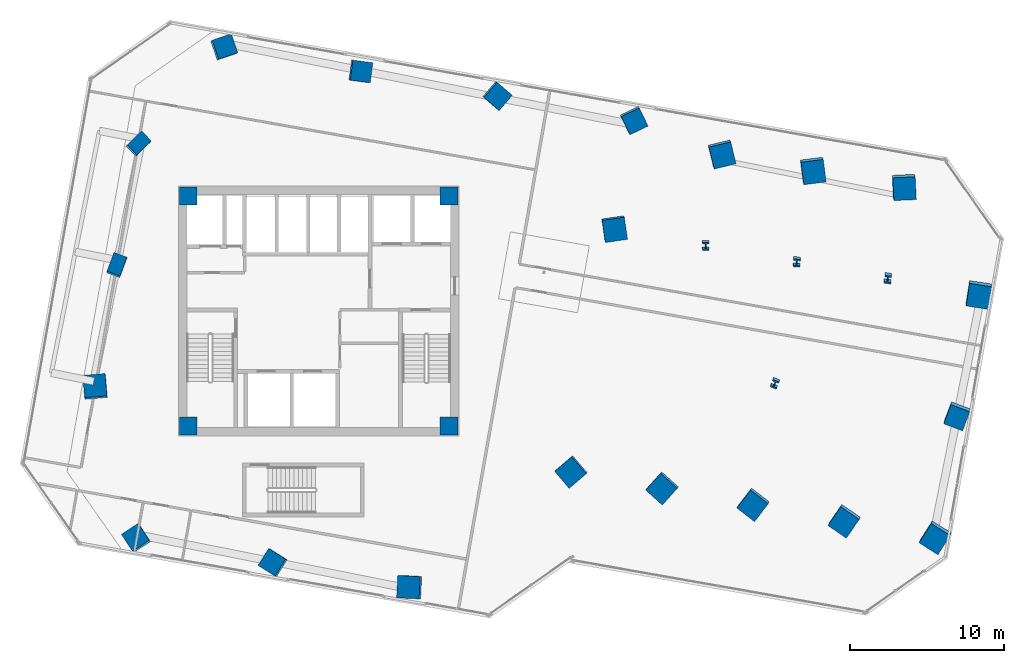
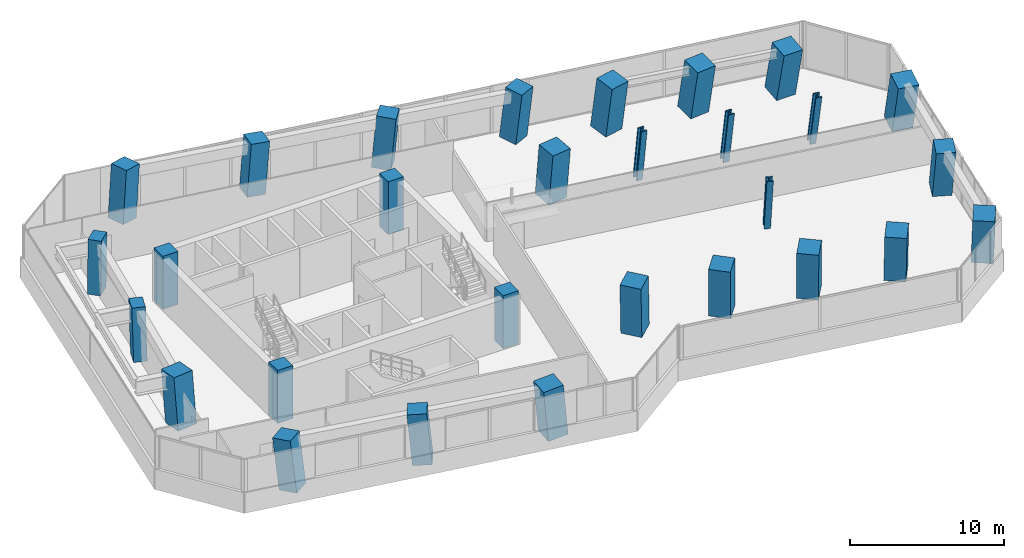
# One storey, part 1 of 24: 29 columns.
"""IFC4 building model written with IfcOpenShell, lengths in metres."""

import ifcopenshell
import ifcopenshell.guid

model = None  # the IFC model being written
_history = None  # IfcOwnerHistory: only IFC2X3 demands one
_inside = {}  # id of a spatial element -> (the spatial element, [elements in it])
_under = {}  # id of a project, library or spatial element -> (it, [spatial elements below it])
_declared = {}  # id of a project -> (the project, [libraries it declares])
_typed = {}  # id of a type object -> (the type object, [elements of that type])
_made_of = {}  # id of a material, layer set ... -> (it, [elements and type objects made of it])


def new_model(schema):
    """Start an empty IFC model of exactly this schema.

    Asked for "IFC4X3", IfcOpenShell would pick the latest addendum, in which some entities
    have other attributes; the version numbers below select the first issue.
    IFC2X3 requires an IfcOwnerHistory on every rooted entity: one is made here for all.
    """
    global model, _history
    if schema == "IFC4X3":
        model = ifcopenshell.file(schema_version=(4, 3, 0, 0))
    else:
        model = ifcopenshell.file(schema=schema)
    _inside.clear()
    _under.clear()
    _declared.clear()
    _typed.clear()
    _made_of.clear()
    _history = None
    if model.schema == "IFC2X3":
        org = make("IfcOrganization", Name="unknown")
        user = make(
            "IfcPersonAndOrganization",
            ThePerson=make("IfcPerson", FamilyName="unknown"),
            TheOrganization=org,
        )
        app = make(
            "IfcApplication",
            ApplicationDeveloper=org,
            Version="unknown",
            ApplicationFullName="unknown",
            ApplicationIdentifier="unknown",
        )
        _history = make(
            "IfcOwnerHistory",
            OwningUser=user,
            OwningApplication=app,
            ChangeAction="ADDED",
            CreationDate=0,
        )
    return model


def make(cls, **values):
    """One entity of the class cls with the attributes given. An attribute that is None is left unset."""
    return model.create_entity(
        cls, **{name: value for name, value in values.items() if value is not None}
    )


def rooted(cls, **values):
    """An entity with a GlobalId (a new one), such as an element, a storey or a relation."""
    return make(cls, GlobalId=ifcopenshell.guid.new(), OwnerHistory=_history, **values)


def si_unit(unit_type, name, prefix=None):
    """IfcSIUnit, for example si_unit("LENGTHUNIT", "METRE", prefix="MILLI")."""
    return make("IfcSIUnit", UnitType=unit_type, Prefix=prefix, Name=name)


def assignment(units):
    """IfcUnitAssignment: the units of a project."""
    return None if units is None else make("IfcUnitAssignment", Units=units)


def point(xyz):
    """IfcCartesianPoint."""
    return None if xyz is None else make("IfcCartesianPoint", Coordinates=xyz)


def direction(xyz):
    """IfcDirection."""
    return None if xyz is None else make("IfcDirection", DirectionRatios=xyz)


def frame(location, z_axis=None, x_axis=None):
    """IfcAxis2Placement3D, a coordinate frame: its origin and axes. An axis left out is left unset."""
    return make(
        "IfcAxis2Placement3D",
        Location=point(location),
        Axis=direction(z_axis),
        RefDirection=direction(x_axis),
    )


def frame_2d(location, x_axis=None):
    """IfcAxis2Placement2D, a coordinate frame in the plane: its origin and x axis."""
    return make(
        "IfcAxis2Placement2D", Location=point(location), RefDirection=direction(x_axis)
    )


def origin():
    """The frame at (0, 0, 0) with its axes left unset."""
    return frame((0.0, 0.0, 0.0))


def origin_2d():
    """The frame at (0, 0) in the plane with its x axis left unset."""
    return frame_2d((0.0, 0.0))


def place(relative_to, where):
    """IfcLocalPlacement: puts the frame where relative to a parent placement (None: the world)."""
    return make(
        "IfcLocalPlacement", PlacementRelTo=relative_to, RelativePlacement=where
    )


def context(
    kind, dimensions, precision=None, world=None, true_north=None, identifier=None
):
    """IfcGeometricRepresentationContext, for example the 3D "Model" context."""
    return make(
        "IfcGeometricRepresentationContext",
        ContextIdentifier=identifier,
        ContextType=kind,
        CoordinateSpaceDimension=dimensions,
        Precision=precision,
        WorldCoordinateSystem=world,
        TrueNorth=true_north,
    )


def subcontext(parent, identifier, kind, view, scale=None):
    """IfcGeometricRepresentationSubContext, for example "Body" below "Model"."""
    return make(
        "IfcGeometricRepresentationSubContext",
        ContextIdentifier=identifier,
        ContextType=kind,
        ParentContext=parent,
        TargetScale=scale,
        TargetView=view,
    )


def project(units=None, contexts=None):
    """IfcProject with its units and contexts."""
    return rooted(
        "IfcProject",
        Name="project",
        RepresentationContexts=contexts,
        UnitsInContext=assignment(units),
    )


def spatial(cls, under=None, at=None, **own):
    """A site, building, storey or space (cls), placed at a placement, below another one or the project."""
    s = rooted(cls, ObjectPlacement=at, **own)
    if under is not None:
        _under.setdefault(under.id(), (under, []))[1].append(s)
    return s


def profile(cls, at=None, kind="AREA", **sizes):
    """A parametric profile (cls). Its sizes go by their IFC names, for example OverallWidth=200.0."""
    return make(cls, ProfileType=kind, Position=at, **sizes)


def rectangle(**sizes):
    """IfcRectangleProfileDef."""
    return profile("IfcRectangleProfileDef", **sizes)


def i_section(**sizes):
    """IfcIShapeProfileDef."""
    return profile("IfcIShapeProfileDef", **sizes)


def extrude(swept, where, along, depth):
    """IfcExtrudedAreaSolid: the profile swept, set in the frame where, extruded along a direction by depth."""
    return make(
        "IfcExtrudedAreaSolid",
        SweptArea=swept,
        Position=where,
        ExtrudedDirection=direction(along),
        Depth=depth,
    )


def clip(a, b, op="DIFFERENCE"):
    """IfcBooleanClippingResult: the solid a cut by the half space b."""
    return make(
        "IfcBooleanClippingResult", Operator=op, FirstOperand=a, SecondOperand=b
    )


def halfspace(plane, agree):
    """IfcHalfSpaceSolid: all space on one side of the plane z = 0 of the frame plane."""
    return make(
        "IfcHalfSpaceSolid",
        BaseSurface=make("IfcPlane", Position=plane),
        AgreementFlag=agree,
    )


def shape(context_of_items, identifier, shape_type, items):
    """IfcShapeRepresentation: the items that make up one representation, for example the "Body"."""
    return make(
        "IfcShapeRepresentation",
        ContextOfItems=context_of_items,
        RepresentationIdentifier=identifier,
        RepresentationType=shape_type,
        Items=items,
    )


def source(mapping_origin, context_of_items, identifier, shape_type, items):
    """IfcRepresentationMap: a shape defined once, which mapped items show again and again."""
    return make(
        "IfcRepresentationMap",
        MappingOrigin=mapping_origin,
        MappedRepresentation=shape(context_of_items, identifier, shape_type, items),
    )


def transform(
    local_origin,
    x_axis=None,
    y_axis=None,
    z_axis=None,
    scale=None,
    scale2=None,
    scale3=None,
    uniform=True,
):
    """IfcCartesianTransformationOperator3D, or its non-uniform kind. x_axis, y_axis, z_axis: its Axis1, 2, 3."""
    if uniform:
        return make(
            "IfcCartesianTransformationOperator3D",
            Axis1=direction(x_axis),
            Axis2=direction(y_axis),
            LocalOrigin=point(local_origin),
            Scale=scale,
            Axis3=direction(z_axis),
        )
    return make(
        "IfcCartesianTransformationOperator3DnonUniform",
        Axis1=direction(x_axis),
        Axis2=direction(y_axis),
        LocalOrigin=point(local_origin),
        Scale=scale,
        Axis3=direction(z_axis),
        Scale2=scale2,
        Scale3=scale3,
    )


def mapped(mapping_source, mapping_target):
    """IfcMappedItem: shows the shape of a source again, moved by a transform."""
    return make(
        "IfcMappedItem", MappingSource=mapping_source, MappingTarget=mapping_target
    )


def material(Name=None, Category=None):
    """IfcMaterial."""
    return make("IfcMaterial", Name=Name, Category=Category)


def material_profile(
    of_material, cross_section, Name=None, Category=None, Priority=None
):
    """IfcMaterialProfile: a cross section and its material."""
    return make(
        "IfcMaterialProfile",
        Name=Name,
        Material=of_material,
        Profile=cross_section,
        Priority=Priority,
        Category=Category,
    )


def profile_set(profiles, Name=None, composite=None):
    """IfcMaterialProfileSet."""
    return make(
        "IfcMaterialProfileSet",
        Name=Name,
        MaterialProfiles=profiles,
        CompositeProfile=composite,
    )


def made_of(thing, what):
    """Note that an element or type object is made of a material, layer set ...; save() writes the relation."""
    if what is not None:
        _made_of.setdefault(what.id(), (what, []))[1].append(thing)
    return thing


def type_object(cls, material=None, **own):
    """A type object (cls), such as IfcWallType, which elements share."""
    return made_of(rooted(cls, **own), material)


def element(
    cls,
    number,
    at=None,
    inside=None,
    cuts=None,
    type_object=None,
    material=None,
    context=None,
    identifier="Body",
    shape_type=None,
    held_by="IfcProductDefinitionShape",
    body=None,
    shapes=None,
    **own,
):
    """One element of the class cls, such as IfcWall. Its Tag is "e" and its number.

    at: its placement. inside: the storey or other place that contains it. cuts: it is an
    opening in that element (IfcRelVoidsElement). A single representation is given by context,
    identifier, shape_type and body (its items); several are given by shapes. held_by: the class
    of the entity that holds the representations. save() writes the other relations.
    """
    e = rooted(cls, Tag="e%d" % number, ObjectPlacement=at, **own)
    if body is not None:
        shapes = [shape(context, identifier, shape_type, body)]
    if shapes is not None:
        e.Representation = make(held_by, Representations=shapes)
    if inside is not None:
        _inside.setdefault(inside.id(), (inside, []))[1].append(e)
    if cuts is not None:
        rooted(
            "IfcRelVoidsElement", RelatingBuildingElement=cuts, RelatedOpeningElement=e
        )
    if type_object is not None:
        _typed.setdefault(type_object.id(), (type_object, []))[1].append(e)
    return made_of(e, material)


def aggregate(whole, parts):
    """IfcRelAggregates: a whole, such as a stair, and the parts it consists of."""
    return rooted("IfcRelAggregates", RelatingObject=whole, RelatedObjects=parts)


def save(model, path):
    """Write the relations noted so far, then the file.

    IfcRelAggregates (storeys below a building ...), IfcRelContainedInSpatialStructure (elements
    in a storey), IfcRelDefinesByType, IfcRelAssociatesMaterial and IfcRelDeclares: one each for
    every whole, place, type object, material and project.
    """
    for whole, parts in _under.values():
        aggregate(whole, parts)
    for where, things in _inside.values():
        rooted(
            "IfcRelContainedInSpatialStructure",
            RelatedElements=things,
            RelatingStructure=where,
        )
    for kind, things in _typed.values():
        rooted("IfcRelDefinesByType", RelatedObjects=things, RelatingType=kind)
    for what, things in _made_of.values():
        rooted("IfcRelAssociatesMaterial", RelatedObjects=things, RelatingMaterial=what)
    for by, libraries in _declared.values():
        rooted("IfcRelDeclares", RelatingContext=by, RelatedDefinitions=libraries)
    model.write(path)


model = new_model("IFC4")

# Units and contexts
model_context = context("Model", 3, precision=1e-05, world=origin(), true_north=direction((0.0, 1.0)))
body_context = subcontext(model_context, "Body", "Model", "MODEL_VIEW")
ifc_project = project(units=[si_unit("LENGTHUNIT", "METRE"), si_unit("AREAUNIT", "SQUARE_METRE"), si_unit("VOLUMEUNIT", "CUBIC_METRE"), si_unit("PLANEANGLEUNIT", "RADIAN"), si_unit("MASSUNIT", "GRAM", prefix="KILO")], contexts=[model_context])

# Site, building, storey
site_placement = place(None, origin())
site = spatial("IfcSite", under=ifc_project, at=site_placement, CompositionType="ELEMENT")
building_placement = place(site_placement, origin())
building = spatial("IfcBuilding", under=site, at=building_placement, Name="Torre Montelarca", CompositionType="ELEMENT")
storey_placement = place(building_placement, frame((0.0, 0.0, 79.0)))
storey = spatial("IfcBuildingStorey", under=building, at=storey_placement, Name="L17", CompositionType="ELEMENT", Elevation=79.0)

# Columns
ifc_material_1 = material(Name="Concrete C55/67", Category="concrete")
ifc_material_profile_1 = material_profile(ifc_material_1, rectangle(XDim=0.89990234375, YDim=1.300048828125, at=origin_2d()), Name="RC1300X900", Category="concrete")
ifc_profile_set_1 = profile_set([ifc_material_profile_1], Name="Concrete C55/67")
column_type_1 = type_object("IfcColumnType", Name="COL-PIL1300-EXT", PredefinedType="PILASTER", material=ifc_profile_set_1)
column_1_placement = place(storey_placement, frame((4.906005859375, 34.926025390625, 0.0), z_axis=(0.016098412236, 0.085703777374, 0.996190596054), x_axis=(0.93594592387, -0.351818035353, 0.015142575451)))
element("IfcColumn", 1, at=column_1_placement, inside=storey, type_object=column_type_1, Name="L17 Column 1W/E", PredefinedType="PILASTER", context=body_context, shape_type="Clipping", body=[
    clip(clip(extrude(rectangle(XDim=0.89990234375, YDim=1.300048828125, at=origin_2d()), origin(), (0.0, 0.0, 1.0), 4.216064453125), halfspace(frame((0.0, 0.0, 0.063720703125), z_axis=(0.0, 0.0, -1.0), x_axis=(1.0, 0.0, 0.0)), False)), halfspace(frame((0.0, 0.0, 4.15234375), z_axis=(0.0, 0.0, 1.0), x_axis=(1.0, 0.0, 0.0)), False)),
])
column_2_placement = place(storey_placement, frame((6.295166015625, 42.804443359375, 0.0), z_axis=(0.056701351042, 0.077993286943, 0.995340144866), x_axis=(0.69491742365, -0.718894571841, 0.016744219477)))
element("IfcColumn", 2, at=column_2_placement, inside=storey, type_object=column_type_1, Name="L17 Column 1W/F", PredefinedType="PILASTER", context=body_context, shape_type="Clipping", body=[
    clip(clip(extrude(rectangle(XDim=0.89990234375, YDim=1.300048828125, at=origin_2d()), origin(), (0.0, 0.0, 1.0), 4.2197265625), halfspace(frame((0.0, 0.0, 0.0703125), z_axis=(0.0, 0.0, -1.0), x_axis=(1.0, 0.0, 0.0)), False)), halfspace(frame((0.0, 0.0, 4.1494140625), z_axis=(0.0, 0.0, 1.0), x_axis=(1.0, 0.0, 0.0)), False)),
])
ifc_material_2 = material(Name="Concrete C70/85", Category="concrete")
ifc_material_profile_2 = material_profile(ifc_material_2, rectangle(XDim=1.300048828125, YDim=1.300048828125, at=origin_2d()), Name="RC1300X1300", Category="concrete")
ifc_profile_set_2 = profile_set([ifc_material_profile_2], Name="Concrete C70/85")
column_type_2 = type_object("IfcColumnType", Name="COL-RC1300-EXT", PredefinedType="COLUMN", material=ifc_profile_set_2)
column_3_placement = place(storey_placement, frame((6.203125, 17.23193359375, 0.0), z_axis=(-0.075400354658, 0.079791486424, 0.993955786347), x_axis=(0.834326240364, 0.550941299546, 0.01906329181)))
element("IfcColumn", 3, at=column_3_placement, inside=storey, type_object=column_type_2, Name="L17 Column 2/CS", PredefinedType="COLUMN", context=body_context, shape_type="Clipping", body=[
    clip(clip(extrude(rectangle(XDim=1.300048828125, YDim=1.300048828125, at=origin_2d()), origin(), (0.0, 0.0, 1.0), 4.2255859375), halfspace(frame((0.0, 0.0, 0.083984375), z_axis=(0.0, 0.0, -1.0), x_axis=(1.0, 0.0, 0.0)), False)), halfspace(frame((0.0, 0.0, 4.1416015625), z_axis=(0.0, 0.0, 1.0), x_axis=(1.0, 0.0, 0.0)), False)),
])
column_4_placement = place(storey_placement, frame((11.82080078125, 49.09033203125, 0.0), z_axis=(0.088825711791, 0.049097024291, 0.994836406215), x_axis=(0.325212970224, -0.94547655982, 0.017623814278)))
element("IfcColumn", 4, at=column_4_placement, inside=storey, type_object=column_type_2, Name="L17 Column 2/GN", PredefinedType="COLUMN", context=body_context, shape_type="Clipping", body=[
    clip(clip(extrude(rectangle(XDim=1.300048828125, YDim=1.300048828125, at=origin_2d()), origin(), (0.0, 0.0, 1.0), 4.2216796875), halfspace(frame((0.0, 0.0, 0.07763671875), z_axis=(0.0, 0.0, -1.0), x_axis=(1.0, 0.0, 0.0)), False)), halfspace(frame((0.0, 0.0, 4.14404296875), z_axis=(0.0, 0.0, 1.0), x_axis=(1.0, 0.0, 0.0)), False)),
])
column_5_placement = place(storey_placement, frame((15.06640625, 15.669189453125, 0.0), z_axis=(-0.084113242022, 0.034154723189, 0.995870683071), x_axis=(0.530733153441, 0.847392356417, 0.015764330737)))
element("IfcColumn", 5, at=column_5_placement, inside=storey, type_object=column_type_2, Name="L17 Column 3/CS", PredefinedType="COLUMN", context=body_context, shape_type="Clipping", body=[
    clip(clip(extrude(rectangle(XDim=1.300048828125, YDim=1.300048828125, at=origin_2d()), origin(), (0.0, 0.0, 1.0), 4.21728515625), halfspace(frame((0.0, 0.0, 0.0693359375), z_axis=(0.0, 0.0, -1.0), x_axis=(1.0, 0.0, 0.0)), False)), halfspace(frame((0.0, 0.0, 4.14794921875), z_axis=(0.0, 0.0, 1.0), x_axis=(1.0, 0.0, 0.0)), False)),
])
column_6_placement = place(storey_placement, frame((20.683837890625, 47.527587890625, 0.0), z_axis=(0.080479369688, 0.003360549634, 0.996750609611), x_axis=(-0.131846749802, -0.991171423482, 0.013987274199)))
element("IfcColumn", 6, at=column_6_placement, inside=storey, type_object=column_type_2, Name="L17 Column 3/GN", PredefinedType="COLUMN", context=body_context, shape_type="Clipping", body=[
    clip(clip(extrude(rectangle(XDim=1.300048828125, YDim=1.300048828125, at=origin_2d()), origin(), (0.0, 0.0, 1.0), 4.213623046875), halfspace(frame((0.0, 0.0, 0.0615234375), z_axis=(0.0, 0.0, -1.0), x_axis=(1.0, 0.0, 0.0)), False)), halfspace(frame((0.0, 0.0, 4.152099609375), z_axis=(0.0, 0.0, 1.0), x_axis=(1.0, 0.0, 0.0)), False)),
])
column_7_placement = place(storey_placement, frame((29.547119140625, 45.96484375, 0.0), z_axis=(0.071829090236, -0.042460260599, 0.996512773659), x_axis=(-0.650101403004, -0.759709304288, 0.014489264645)))
element("IfcColumn", 7, at=column_7_placement, inside=storey, type_object=column_type_2, Name="L17 Column 4/GN", PredefinedType="COLUMN", context=body_context, shape_type="Clipping", body=[
    clip(clip(extrude(rectangle(XDim=1.300048828125, YDim=1.300048828125, at=origin_2d()), origin(), (0.0, 0.0, 1.0), 4.214599609375), halfspace(frame((0.0, 0.0, 0.063720703125), z_axis=(0.0, 0.0, -1.0), x_axis=(1.0, 0.0, 0.0)), False)), halfspace(frame((0.0, 0.0, 4.15087890625), z_axis=(0.0, 0.0, 1.0), x_axis=(1.0, 0.0, 0.0)), False)),
])
column_8_placement = place(storey_placement, frame((38.410400390625, 44.40185546875, 0.0), z_axis=(0.06310397363, -0.088010395457, 0.994118734761), x_axis=(-0.900929917902, -0.433556965496, 0.01880533697)))
element("IfcColumn", 8, at=column_8_placement, inside=storey, type_object=column_type_2, Name="L17 Column 5/GN", PredefinedType="COLUMN", context=body_context, shape_type="Clipping", body=[
    clip(clip(extrude(rectangle(XDim=1.300048828125, YDim=1.300048828125, at=origin_2d()), origin(), (0.0, 0.0, 1.0), 4.224853515625), halfspace(frame((0.0, 0.0, 0.082763671875), z_axis=(0.0, 0.0, -1.0), x_axis=(1.0, 0.0, 0.0)), False)), halfspace(frame((0.0, 0.0, 4.14208984375), z_axis=(0.0, 0.0, 1.0), x_axis=(1.0, 0.0, 0.0)), False)),
])
column_9_placement = place(storey_placement, frame((59.4150390625, 25.314453125, 0.0), z_axis=(-0.036138627315, -0.192720345348, 0.9805880216), x_axis=(-0.936553761677, 0.348866347771, 0.034048830838)))
element("IfcColumn", 9, at=column_9_placement, inside=storey, type_object=column_type_2, Name="L17 Column 9/E", PredefinedType="COLUMN", context=body_context, shape_type="Clipping", body=[
    clip(clip(extrude(rectangle(XDim=1.300048828125, YDim=1.300048828125, at=origin_2d()), origin(), (0.0, 0.0, 1.0), 4.283203125), halfspace(frame((0.0, 0.0, 0.1513671875), z_axis=(0.0, 0.0, -1.0), x_axis=(1.0, 0.0, 0.0)), False)), halfspace(frame((0.0, 0.0, 4.1318359375), z_axis=(0.0, 0.0, 1.0), x_axis=(1.0, 0.0, 0.0)), False)),
])
ifc_material_profile_3 = material_profile(ifc_material_2, rectangle(XDim=1.449951171875, YDim=1.449951171875, at=origin_2d()), Name="RC1450X1450", Category="concrete")
ifc_profile_set_3 = profile_set([ifc_material_profile_3], Name="Concrete C70/85")
column_type_3 = type_object("IfcColumnType", Name="COL-RC1450", PredefinedType="COLUMN", material=ifc_profile_set_3)
for number, where, z_axis, x_axis, name in (
    (10, (34.390380859375, 21.603515625, 0.0), (-0.054498728191, -0.066081879773, 0.996324783287), (-0.649682625817, 0.760060030732, 0.01487398385), "L17 Column 5/D"),
    (11, (37.1689453125, 37.360595703125, 0.0), (0.0268149495, -0.081371499024, 0.996323058867), (-0.989479123471, -0.143908739157, 0.014877466468), "L17 Column 5/F"),
):
    element("IfcColumn", number, at=place(storey_placement, frame(where, z_axis=z_axis, x_axis=x_axis)), inside=storey, type_object=column_type_3, Name=name, PredefinedType="COLUMN", context=body_context, shape_type="Clipping", body=[
        clip(clip(extrude(rectangle(XDim=1.449951171875, YDim=1.449951171875, at=origin_2d()), origin(), (0.0, 0.0, 1.0), 4.21533203125), halfspace(frame((0.0, 0.0, 0.072998046875), z_axis=(0.0, 0.0, -1.0), x_axis=(1.0, 0.0, 0.0)), False)), halfspace(frame((0.0, 0.0, 4.142333984375), z_axis=(0.0, 0.0, 1.0), x_axis=(1.0, 0.0, 0.0)), False)),
    ])
column_10_placement = place(storey_placement, frame((40.29931640625, 20.561767578125, 0.0), z_axis=(-0.060063414038, -0.096390228875, 0.993529722792), x_axis=(-0.744577265686, 0.667244896819, 0.019721640207)))
element("IfcColumn", 12, at=column_10_placement, inside=storey, type_object=column_type_3, Name="L17 Column 6/D", PredefinedType="COLUMN", context=body_context, shape_type="Clipping", body=[
    clip(clip(extrude(rectangle(XDim=1.449951171875, YDim=1.449951171875, at=origin_2d()), origin(), (0.0, 0.0, 1.0), 4.227294921875), halfspace(frame((0.0, 0.0, 0.0966796875), z_axis=(0.0, 0.0, -1.0), x_axis=(1.0, 0.0, 0.0)), False)), halfspace(frame((0.0, 0.0, 4.130615234375), z_axis=(0.0, 0.0, 1.0), x_axis=(1.0, 0.0, 0.0)), False)),
])
column_11_placement = place(storey_placement, frame((44.11962890625, 42.2275390625, 0.0), z_axis=(0.051425658512, -0.117091381657, 0.991788793034), x_axis=(-0.970931417652, -0.238325447494, 0.022207280165)))
element("IfcColumn", 13, at=column_11_placement, inside=storey, type_object=column_type_3, Name="L17 Column 6/G", PredefinedType="COLUMN", context=body_context, shape_type="Clipping", body=[
    clip(clip(extrude(rectangle(XDim=1.449951171875, YDim=1.449951171875, at=origin_2d()), origin(), (0.0, 0.0, 1.0), 4.234619140625), halfspace(frame((0.0, 0.0, 0.109130859375), z_axis=(0.0, 0.0, -1.0), x_axis=(1.0, 0.0, 0.0)), False)), halfspace(frame((0.0, 0.0, 4.12548828125), z_axis=(0.0, 0.0, 1.0), x_axis=(1.0, 0.0, 0.0)), False)),
])
column_12_placement = place(storey_placement, frame((46.208251953125, 19.52001953125, 0.0), z_axis=(-0.065535255542, -0.126352432986, 0.989818262591), x_axis=(-0.795075682772, 0.60600639496, 0.024716551802)))
element("IfcColumn", 14, at=column_12_placement, inside=storey, type_object=column_type_3, Name="L17 Column 7/D", PredefinedType="COLUMN", context=body_context, shape_type="Clipping", body=[
    clip(clip(extrude(rectangle(XDim=1.449951171875, YDim=1.449951171875, at=origin_2d()), origin(), (0.0, 0.0, 1.0), 4.2431640625), halfspace(frame((0.0, 0.0, 0.12158203125), z_axis=(0.0, 0.0, -1.0), x_axis=(1.0, 0.0, 0.0)), False)), halfspace(frame((0.0, 0.0, 4.12158203125), z_axis=(0.0, 0.0, 1.0), x_axis=(1.0, 0.0, 0.0)), False)),
])
column_13_placement = place(storey_placement, frame((50.028564453125, 41.185546875, 0.0), z_axis=(0.04554798519, -0.146925278836, 0.988098347071), x_axis=(-0.991450493729, -0.127720132467, 0.026711163325)))
element("IfcColumn", 15, at=column_13_placement, inside=storey, type_object=column_type_3, Name="L17 Column 7/G", PredefinedType="COLUMN", context=body_context, shape_type="Clipping", body=[
    clip(clip(extrude(rectangle(XDim=1.449951171875, YDim=1.449951171875, at=origin_2d()), origin(), (0.0, 0.0, 1.0), 4.25048828125), halfspace(frame((0.0, 0.0, 0.131591796875), z_axis=(0.0, 0.0, -1.0), x_axis=(1.0, 0.0, 0.0)), False)), halfspace(frame((0.0, 0.0, 4.118896484375), z_axis=(0.0, 0.0, 1.0), x_axis=(1.0, 0.0, 0.0)), False)),
])
column_14_placement = place(storey_placement, frame((52.1171875, 18.47802734375, 0.0), z_axis=(-0.07095737447, -0.155945868186, 0.985213650537), x_axis=(-0.825524116158, 0.563582114995, 0.029751189863)))
element("IfcColumn", 16, at=column_14_placement, inside=storey, type_object=column_type_3, Name="L17 Column 8/D", PredefinedType="COLUMN", context=body_context, shape_type="Clipping", body=[
    clip(clip(extrude(rectangle(XDim=1.449951171875, YDim=1.449951171875, at=origin_2d()), origin(), (0.0, 0.0, 1.0), 4.262939453125), halfspace(frame((0.0, 0.0, 0.146728515625), z_axis=(0.0, 0.0, -1.0), x_axis=(1.0, 0.0, 0.0)), False)), halfspace(frame((0.0, 0.0, 4.1162109375), z_axis=(0.0, 0.0, 1.0), x_axis=(1.0, 0.0, 0.0)), False)),
])
column_15_placement = place(storey_placement, frame((55.937255859375, 40.143798828125, 0.0), z_axis=(0.03967709525, -0.17637440756, 0.983523155025), x_axis=(-0.998279792226, -0.049517344567, 0.031392499437)))
element("IfcColumn", 17, at=column_15_placement, inside=storey, type_object=column_type_3, Name="L17 Column 8/G", PredefinedType="COLUMN", context=body_context, shape_type="Clipping", body=[
    clip(clip(extrude(rectangle(XDim=1.449951171875, YDim=1.449951171875, at=origin_2d()), origin(), (0.0, 0.0, 1.0), 4.270263671875), halfspace(frame((0.0, 0.0, 0.155029296875), z_axis=(0.0, 0.0, -1.0), x_axis=(1.0, 0.0, 0.0)), False)), halfspace(frame((0.0, 0.0, 4.115234375), z_axis=(0.0, 0.0, 1.0), x_axis=(1.0, 0.0, 0.0)), False)),
])
ifc_material_profile_4 = material_profile(ifc_material_2, rectangle(XDim=1.449951171875, YDim=1.449951171875, at=origin_2d()), Name="RC1450X1450", Category="concrete")
ifc_profile_set_4 = profile_set([ifc_material_profile_4], Name="Concrete C70/85")
column_type_4 = type_object("IfcColumnType", Name="COL-RC1450-EXT", PredefinedType="COLUMN", material=ifc_profile_set_4)
column_16_placement = place(storey_placement, frame((23.9296875, 14.106201171875, 0.0), z_axis=(-0.092658591781, -0.011517214094, 0.995631326922), x_axis=(0.050095109852, 0.998612834004, 0.016213812988)))
element("IfcColumn", 18, at=column_16_placement, inside=storey, type_object=column_type_4, Name="L17 Perimeter Mega Column 4/CS", PredefinedType="COLUMN", context=body_context, shape_type="Clipping", body=[
    clip(clip(extrude(rectangle(XDim=1.449951171875, YDim=1.449951171875, at=origin_2d()), origin(), (0.0, 0.0, 1.0), 4.21826171875), halfspace(frame((0.0, 0.0, 0.07958984375), z_axis=(0.0, 0.0, -1.0), x_axis=(1.0, 0.0, 0.0)), False)), halfspace(frame((0.0, 0.0, 4.138671875), z_axis=(0.0, 0.0, 1.0), x_axis=(1.0, 0.0, 0.0)), False)),
])
for number, where, z_axis, x_axis, name in (
    (19, (58.02587890625, 17.43603515625, 0.0), (-0.076146400638, -0.185097832517, 0.979765542396), (-0.846024447337, 0.532010050022, 0.034755448264), "L17 Perimeter Mega Column 9/D"),
    (20, (60.80419921875, 33.193115234375, 0.0), (0.003929750961, -0.200132534446, 0.979760953352), (-0.987958013285, 0.150767210127, 0.03475934891), "L17 Perimeter Mega Column 9/F"),
):
    element("IfcColumn", number, at=place(storey_placement, frame(where, z_axis=z_axis, x_axis=x_axis)), inside=storey, type_object=column_type_4, Name=name, PredefinedType="COLUMN", context=body_context, shape_type="Clipping", body=[
        clip(clip(extrude(rectangle(XDim=1.449951171875, YDim=1.449951171875, at=origin_2d()), origin(), (0.0, 0.0, 1.0), 4.28662109375), halfspace(frame((0.0, 0.0, 0.17236328125), z_axis=(0.0, 0.0, -1.0), x_axis=(1.0, 0.0, 0.0)), False)), halfspace(frame((0.0, 0.0, 4.1142578125), z_axis=(0.0, 0.0, 1.0), x_axis=(1.0, 0.0, 0.0)), False)),
    ])
column_17_placement = place(storey_placement, frame((3.516845703125, 27.047607421875, 0.0), z_axis=(-0.024589935751, 0.093210321163, 0.995342740511), x_axis=(0.996317794666, 0.084087091474, 0.01673956626)))
element("IfcColumn", 21, at=column_17_placement, inside=storey, type_object=column_type_4, Name="L17 Perimeter Mega Column 1W/D", PredefinedType="COLUMN", context=body_context, shape_type="Clipping", body=[
    clip(clip(extrude(rectangle(XDim=1.449951171875, YDim=1.449951171875, at=origin_2d()), origin(), (0.0, 0.0, 1.0), 4.219482421875), halfspace(frame((0.0, 0.0, 0.08203125), z_axis=(0.0, 0.0, -1.0), x_axis=(1.0, 0.0, 0.0)), False)), halfspace(frame((0.0, 0.0, 4.137451171875), z_axis=(0.0, 0.0, 1.0), x_axis=(1.0, 0.0, 0.0)), False)),
])
ifc_material_3 = material(Name="Steel ASTM A992 Grade 50", Category="steel")
ifc_material_profile_5 = material_profile(ifc_material_3, i_section(OverallWidth=0.431884765625, OverallDepth=0.498046875, WebThickness=0.0556640625, FlangeThickness=0.0888671875, FilletRadius=0.014892578125, at=origin_2d()), Name="W360X744", Category="steel")
ifc_profile_set_5 = profile_set([ifc_material_profile_5], Name="Steel ASTM A992 Grade 50")
column_type_5 = type_object("IfcColumnType", Name="COL-W360X744", PredefinedType="COLUMN", material=ifc_profile_set_5)
column_18_placement = place(storey_placement, frame((43.07763671875, 36.318603515625, 0.0), z_axis=(0.02107999432, -0.111579586375, 0.993531896692), x_axis=(-0.999717200704, -0.013293072583, 0.019718337617)))
element("IfcColumn", 22, at=column_18_placement, inside=storey, type_object=column_type_5, Name="L17 Column 6/F", PredefinedType="COLUMN", context=body_context, shape_type="Clipping", body=[
    clip(clip(extrude(i_section(OverallWidth=0.431884765625, OverallDepth=0.498046875, WebThickness=0.0556640625, FlangeThickness=0.0888671875, FilletRadius=0.014892578125, at=origin_2d()), origin(), (0.0, 0.0, 1.0), 4.227294921875), halfspace(frame((0.0, 0.0, 0.032958984375), z_axis=(0.0, 0.0, -1.0), x_axis=(1.0, 0.0, 0.0)), False)), halfspace(frame((0.0, 0.0, 4.1943359375), z_axis=(0.0, 0.0, 1.0), x_axis=(1.0, 0.0, 0.0)), False)),
])
column_19_placement = place(storey_placement, frame((47.597412109375, 27.398193359375, 0.0), z_axis=(-0.025165317474, -0.134003875884, 0.990661227688), x_axis=(-0.936137546219, 0.350836040709, 0.023676298264)))
element("IfcColumn", 23, at=column_19_placement, inside=storey, type_object=column_type_5, Name="L17 Column 7/E", PredefinedType="COLUMN", context=body_context, shape_type="Clipping", body=[
    clip(clip(extrude(i_section(OverallWidth=0.431884765625, OverallDepth=0.498046875, WebThickness=0.0556640625, FlangeThickness=0.0888671875, FilletRadius=0.014892578125, at=origin_2d()), origin(), (0.0, 0.0, 1.0), 4.239501953125), halfspace(frame((0.0, 0.0, 0.03955078125), z_axis=(0.0, 0.0, -1.0), x_axis=(1.0, 0.0, 0.0)), False)), halfspace(frame((0.0, 0.0, 4.199951171875), z_axis=(0.0, 0.0, 1.0), x_axis=(1.0, 0.0, 0.0)), False)),
])
column_20_placement = place(storey_placement, frame((48.986572265625, 35.27685546875, 0.0), z_axis=(0.015305043321, -0.141485344082, 0.989822031003), x_axis=(-0.997581110031, 0.064971116092, 0.024712000799)))
element("IfcColumn", 24, at=column_20_placement, inside=storey, type_object=column_type_5, Name="L17 Column 7/F", PredefinedType="COLUMN", context=body_context, shape_type="Clipping", body=[
    clip(clip(extrude(i_section(OverallWidth=0.431884765625, OverallDepth=0.498046875, WebThickness=0.0556640625, FlangeThickness=0.0888671875, FilletRadius=0.014892578125, at=origin_2d()), origin(), (0.0, 0.0, 1.0), 4.2431640625), halfspace(frame((0.0, 0.0, 0.04150390625), z_axis=(0.0, 0.0, -1.0), x_axis=(1.0, 0.0, 0.0)), False)), halfspace(frame((0.0, 0.0, 4.20166015625), z_axis=(0.0, 0.0, 1.0), x_axis=(1.0, 0.0, 0.0)), False)),
])
column_21_placement = place(storey_placement, frame((54.8955078125, 34.23486328125, 0.0), z_axis=(0.009564159458, -0.171009461927, 0.985222965011), x_axis=(-0.992824461786, 0.115823176478, 0.029741887466)))
element("IfcColumn", 25, at=column_21_placement, inside=storey, type_object=column_type_5, Name="L17 Column 8/F", PredefinedType="COLUMN", context=body_context, shape_type="Clipping", body=[
    clip(clip(extrude(i_section(OverallWidth=0.431884765625, OverallDepth=0.498046875, WebThickness=0.0556640625, FlangeThickness=0.0888671875, FilletRadius=0.014892578125, at=origin_2d()), origin(), (0.0, 0.0, 1.0), 4.262939453125), halfspace(frame((0.0, 0.0, 0.0498046875), z_axis=(0.0, 0.0, -1.0), x_axis=(1.0, 0.0, 0.0)), False)), halfspace(frame((0.0, 0.0, 4.213134765625), z_axis=(0.0, 0.0, 1.0), x_axis=(1.0, 0.0, 0.0)), False)),
])
ifc_material_profile_6 = material_profile(ifc_material_1, rectangle(XDim=1.14990234375, YDim=1.14990234375, at=origin_2d()), Name="RC1150X1150", Category="concrete")
ifc_profile_set_6 = profile_set([ifc_material_profile_6], Name="Concrete C55/67")
column_type_6 = type_object("IfcColumnType", Name="COL-RC1150", PredefinedType="COLUMN", material=ifc_profile_set_6)
shared_shape = source(origin(), body_context, "Body", "SweptSolid", [
    extrude(rectangle(XDim=1.14990234375, YDim=1.14990234375, at=origin_2d()), origin(), (0.0, 0.0, 1.0), 4.198486328125),
])
for number, where, z_axis, x_axis, name in (
    (26, (9.550048828125, 24.550048828125, 0.000732421875), (0.0, 0.0, 1.0), (1.0, 0.0, 0.0), "L17 Plumb Core Corner Column 2D"),
    (27, (26.449951171875, 24.550048828125, 0.000732421875), (0.0, 0.0, 1.0), (1.0, 0.0, 0.0), "L17 Plumb Core Corner Column 4D"),
    (28, (9.550048828125, 39.449951171875, 0.000732421875), (0.0, 0.0, 1.0), (1.0, 0.0, 0.0), "L17 Plumb Core Corner Column 2F"),
    (29, (26.449951171875, 39.449951171875, 0.000732421875), (0.0, 0.0, 1.0), (1.0, 0.0, 0.0), "L17 Plumb Core Corner Column 4F"),
):
    element("IfcColumn", number, at=place(storey_placement, frame(where, z_axis=z_axis, x_axis=x_axis)), inside=storey, type_object=column_type_6, Name=name, PredefinedType="COLUMN", context=body_context, shape_type="MappedRepresentation", body=[
        mapped(shared_shape, transform((0.0, 0.0, 0.0), scale=1.0)),
    ])

save(model, "model.ifc")
